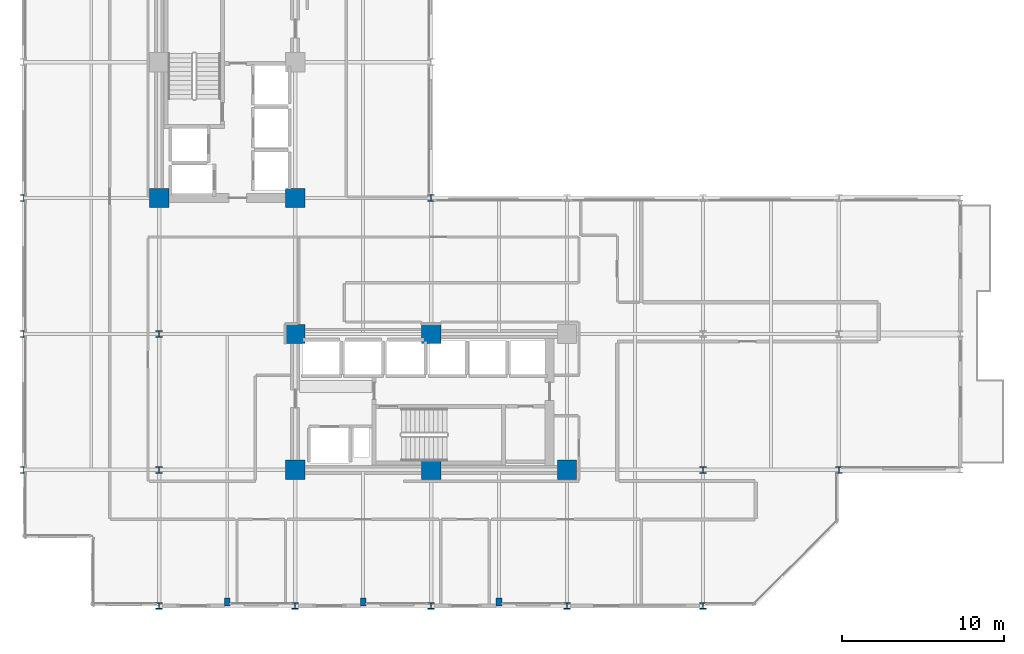
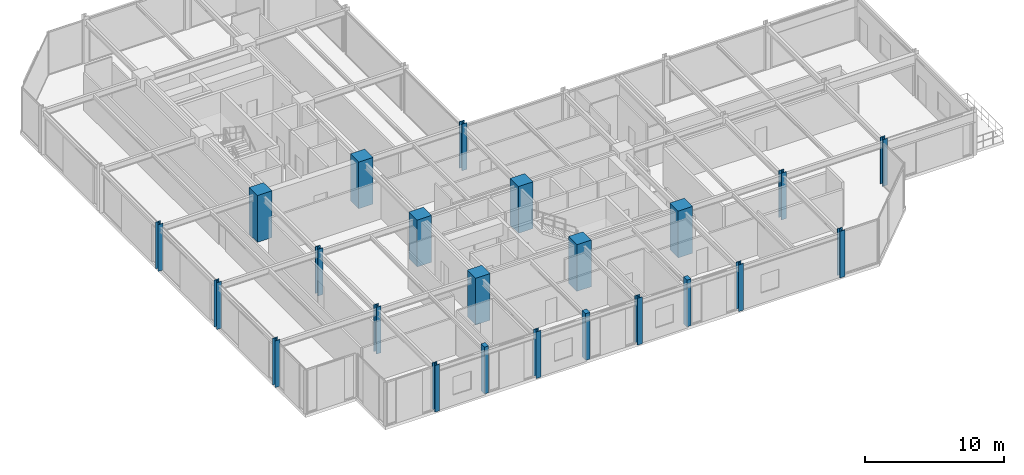
# One storey, part 1 of 38: 23 columns.
"""IFC4 building model written with IfcOpenShell, lengths in metres."""

from ifc_helpers import new_model, si_unit, direction, frame, origin, origin_2d, place, context, subcontext, project, spatial, rectangle, i_section, extrude, material, material_profile, profile_set, type_object, element, save


model = new_model("IFC4")

# Units and contexts
model_context = context("Model", 3, precision=1e-05, world=origin(), true_north=direction((0.0, 1.0)))
body_context = subcontext(model_context, "Body", "Model", "MODEL_VIEW")
ifc_project = project(units=[si_unit("LENGTHUNIT", "METRE"), si_unit("AREAUNIT", "SQUARE_METRE"), si_unit("VOLUMEUNIT", "CUBIC_METRE"), si_unit("PLANEANGLEUNIT", "RADIAN"), si_unit("MASSUNIT", "GRAM", prefix="KILO")], contexts=[model_context])

# Site, building, storey
site_placement = place(None, origin())
site = spatial("IfcSite", under=ifc_project, at=site_placement, CompositionType="ELEMENT")
building_placement = place(site_placement, origin())
building = spatial("IfcBuilding", under=site, at=building_placement, Name="Nerrivon Quay Data Exchange", CompositionType="ELEMENT")
storey_placement = place(building_placement, frame((0.0, 0.0, 88.5)))
storey = spatial("IfcBuildingStorey", under=building, at=storey_placement, Name="L20", CompositionType="ELEMENT", Elevation=88.5)

# Columns
ifc_material_1 = material(Name="Concrete S65 (65 MPa)", Category="concrete")
ifc_material_profile_1 = material_profile(ifc_material_1, rectangle(XDim=1.199951171875, YDim=1.199951171875, at=origin_2d()), Name="RC-COL-1200x1200")
ifc_profile_set_1 = profile_set([ifc_material_profile_1], Name="Concrete S65 (65 MPa)")
column_type_1 = type_object("IfcColumnType", Name="COL-C3-1200", PredefinedType="COLUMN", material=ifc_profile_set_1)
for number, where, z_axis, x_axis, name in (
    (1, (8.39990234375, 25.199951171875, 0.0), (0.0, 0.0, 1.0), (1.0, 0.0, 0.0), "L20 Column (8.4,25.2)"),
    (2, (16.800048828125, 8.39990234375, 0.0), (0.0, 0.0, 1.0), (1.0, 0.0, 0.0), "L20 Column (16.8,8.4)"),
    (3, (16.800048828125, 16.800048828125, 0.0), (0.0, 0.0, 1.0), (1.0, 0.0, 0.0), "L20 Column (16.8,16.8)"),
    (4, (16.800048828125, 25.199951171875, 0.0), (0.0, 0.0, 1.0), (1.0, 0.0, 0.0), "L20 Column (16.8,25.2)"),
    (5, (25.199951171875, 8.39990234375, 0.0), (0.0, 0.0, 1.0), (1.0, 0.0, 0.0), "L20 Column (25.2,8.4)"),
    (6, (25.199951171875, 16.800048828125, 0.0), (0.0, 0.0, 1.0), (1.0, 0.0, 0.0), "L20 Column (25.2,16.8)"),
    (7, (33.60009765625, 8.39990234375, 0.0), (0.0, 0.0, 1.0), (1.0, 0.0, 0.0), "L20 Column (33.6,8.4)"),
):
    element("IfcColumn", number, at=place(storey_placement, frame(where, z_axis=z_axis, x_axis=x_axis)), inside=storey, type_object=column_type_1, Name=name, PredefinedType="COLUMN", context=body_context, shape_type="SweptSolid", body=[
        extrude(rectangle(XDim=1.199951171875, YDim=1.199951171875, at=origin_2d()), origin(), (0.0, 0.0, 1.0), 4.10009765625),
    ])
ifc_material_2 = material(Name="Steel Grade 350", Category="steel")
ifc_material_profile_2 = material_profile(ifc_material_2, i_section(OverallWidth=0.39990234375, OverallDepth=0.39990234375, WebThickness=0.02490234375, FlangeThickness=0.0400390625, at=origin_2d()), Name="400WC328")
ifc_profile_set_2 = profile_set([ifc_material_profile_2], Name="Steel Grade 350")
column_type_2 = type_object("IfcColumnType", Name="COL-SC2-400WC", PredefinedType="COLUMN", material=ifc_profile_set_2)
for number, where, z_axis, x_axis, name in (
    (8, (0.0, 8.39990234375, 0.0), (0.0, 0.0, 1.0), (1.0, 0.0, 0.0), "L20 Column (0.0,8.4)"),
    (9, (0.0, 16.800048828125, 0.0), (0.0, 0.0, 1.0), (1.0, 0.0, 0.0), "L20 Column (0.0,16.8)"),
    (10, (0.0, 25.199951171875, 0.0), (0.0, 0.0, 1.0), (1.0, 0.0, 0.0), "L20 Column (0.0,25.2)"),
    (11, (8.39990234375, 0.0, 0.0), (0.0, 0.0, 1.0), (1.0, 0.0, 0.0), "L20 Column (8.4,0.0)"),
    (12, (8.39990234375, 8.39990234375, 0.0), (0.0, 0.0, 1.0), (1.0, 0.0, 0.0), "L20 Column (8.4,8.4)"),
    (13, (8.39990234375, 16.800048828125, 0.0), (0.0, 0.0, 1.0), (1.0, 0.0, 0.0), "L20 Column (8.4,16.8)"),
    (14, (16.800048828125, 0.0, 0.0), (0.0, 0.0, 1.0), (1.0, 0.0, 0.0), "L20 Column (16.8,0.0)"),
    (15, (25.199951171875, 0.0, 0.0), (0.0, 0.0, 1.0), (1.0, 0.0, 0.0), "L20 Column (25.2,0.0)"),
    (16, (25.199951171875, 25.199951171875, 0.0), (0.0, 0.0, 1.0), (1.0, 0.0, 0.0), "L20 Column (25.2,25.2)"),
    (17, (33.60009765625, 0.0, 0.0), (0.0, 0.0, 1.0), (1.0, 0.0, 0.0), "L20 Column (33.6,0.0)"),
    (18, (42.0, 0.0, 0.0), (0.0, 0.0, 1.0), (1.0, 0.0, 0.0), "L20 Column (42.0,0.0)"),
    (19, (42.0, 8.39990234375, 0.0), (0.0, 0.0, 1.0), (1.0, 0.0, 0.0), "L20 Column (42.0,8.4)"),
    (20, (50.39990234375, 8.39990234375, 0.0), (0.0, 0.0, 1.0), (1.0, 0.0, 0.0), "L20 Column (50.4,8.4)"),
):
    element("IfcColumn", number, at=place(storey_placement, frame(where, z_axis=z_axis, x_axis=x_axis)), inside=storey, type_object=column_type_2, Name=name, PredefinedType="COLUMN", context=body_context, shape_type="SweptSolid", body=[
        extrude(i_section(OverallWidth=0.39990234375, OverallDepth=0.39990234375, WebThickness=0.02490234375, FlangeThickness=0.0400390625, at=origin_2d()), origin(), (0.0, 0.0, 1.0), 4.10009765625),
    ])
ifc_material_3 = material(Name="Concrete N50 (50 MPa)", Category="concrete")
ifc_material_profile_3 = material_profile(ifc_material_3, rectangle(XDim=0.35009765625, YDim=0.5, at=origin_2d()), Name="RC-PIL-500x350")
ifc_profile_set_3 = profile_set([ifc_material_profile_3], Name="Concrete N50 (50 MPa)")
column_type_3 = type_object("IfcColumnType", Name="PIL-P2-500x350", PredefinedType="PILASTER", material=ifc_profile_set_3)
for number, where, z_axis, x_axis, name in (
    (21, (12.60009765625, 0.25, 0.0), (0.0, 0.0, 1.0), (1.0, 0.0, 0.0), "L20 Facade Pilaster (12.6)"),
    (22, (21.0, 0.25, 0.0), (0.0, 0.0, 1.0), (1.0, 0.0, 0.0), "L20 Facade Pilaster (21.0)"),
    (23, (29.39990234375, 0.25, 0.0), (0.0, 0.0, 1.0), (1.0, 0.0, 0.0), "L20 Facade Pilaster (29.4)"),
):
    element("IfcColumn", number, at=place(storey_placement, frame(where, z_axis=z_axis, x_axis=x_axis)), inside=storey, type_object=column_type_3, Name=name, PredefinedType="PILASTER", context=body_context, shape_type="SweptSolid", body=[
        extrude(rectangle(XDim=0.35009765625, YDim=0.5, at=origin_2d()), origin(), (0.0, 0.0, 1.0), 4.10009765625),
    ])

save(model, "model.ifc")
